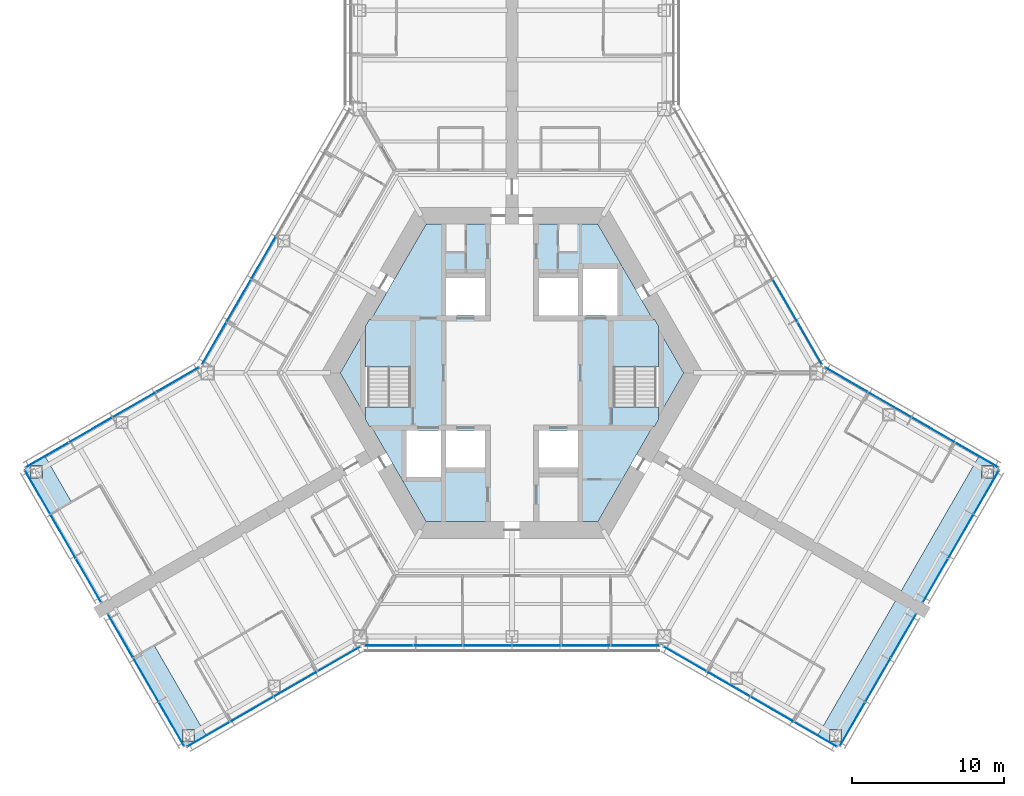
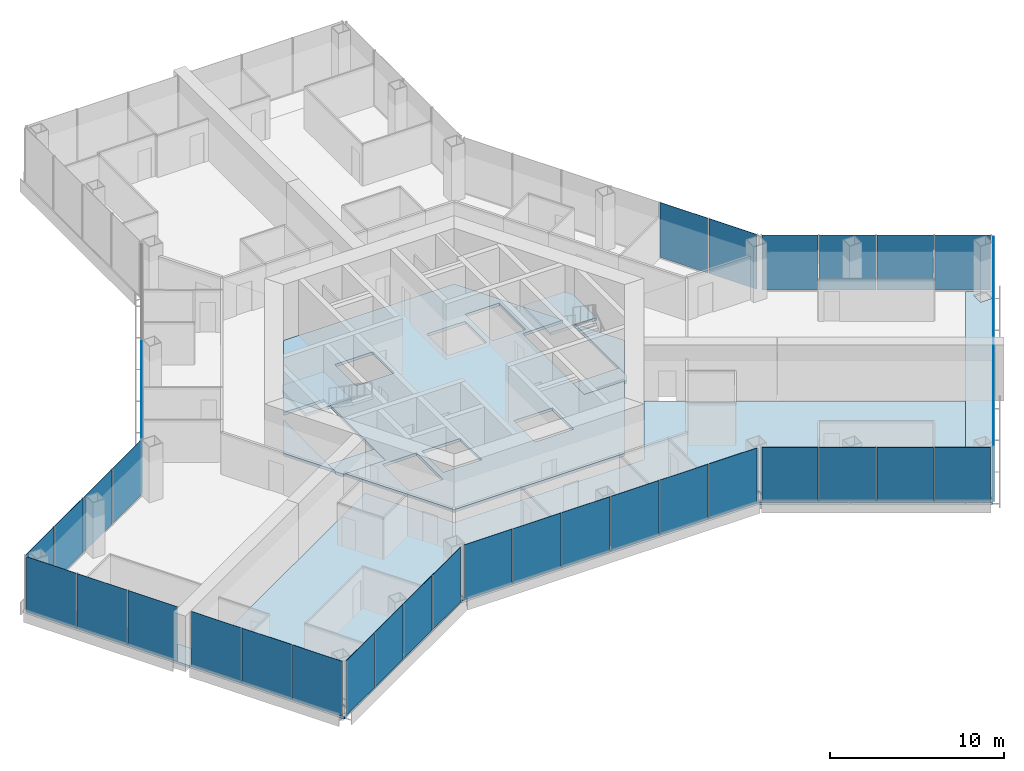
# One storey, part 10 of 19: 39 plates, 10 slabs, 13 elements without a shape of their own.
"""IFC4 building model written with IfcOpenShell, lengths in metres."""

from ifc_helpers import new_model, si_unit, direction, frame, origin, origin_2d, place, context, subcontext, project, spatial, polyline, rectangle, outline, extrude, material, layer, layer_set, type_object, element, aggregate, save


model = new_model("IFC4")

# Units and contexts
model_context = context("Model", 3, precision=1e-05, world=origin(), true_north=direction((0.0, 1.0)))
body_context = subcontext(model_context, "Body", "Model", "MODEL_VIEW")
ifc_project = project(units=[si_unit("LENGTHUNIT", "METRE"), si_unit("AREAUNIT", "SQUARE_METRE"), si_unit("VOLUMEUNIT", "CUBIC_METRE"), si_unit("PLANEANGLEUNIT", "RADIAN"), si_unit("MASSUNIT", "GRAM", prefix="KILO")], contexts=[model_context])

# Site, building, storey
site_placement = place(None, origin())
site = spatial("IfcSite", under=ifc_project, at=site_placement, CompositionType="ELEMENT")
building_placement = place(site_placement, origin())
building = spatial("IfcBuilding", under=site, at=building_placement, Name="Kasaneha Research Tower", CompositionType="ELEMENT")
storey_placement = place(building_placement, frame((0.0, 0.0, 88.5)))
storey = spatial("IfcBuildingStorey", under=building, at=storey_placement, Name="L22", CompositionType="ELEMENT", Elevation=88.5)

# Curtain wall, plates
ifc_material_1 = material(Name="Glass and aluminium", Category="aluminium")
curtain_wall_type = type_object("IfcCurtainWallType", Name="Low-rise office curtain wall", PredefinedType="USERDEFINED", material=ifc_material_1)
curtain_wall_1_placement = place(storey_placement, origin())
curtain_wall_1 = element("IfcCurtainWall", 1, at=curtain_wall_1_placement, inside=storey, type_object=curtain_wall_type, Name="CW-O1 L22 run 01a", ObjectType="UNITISED CURTAIN WALL", PredefinedType="USERDEFINED")
ifc_material_2 = material(Name="Laminated double glazing", Category="glass")
ifc_layer_1 = layer(ifc_material_2, 0.028076171875)
ifc_layer_set_1 = layer_set([ifc_layer_1], Name="CW-O1 glazed panel")
plate_type = type_object("IfcPlateType", Name="CW-O1 glazed panel", PredefinedType="CURTAIN_PANEL", material=ifc_layer_set_1)
plate_1_placement = place(storey_placement, frame((-19.945068359375, -23.755126953125, 0.06005859375), z_axis=(0.0, 0.0, 1.0), x_axis=(0.866025411464, 0.499999986699, 0.0)))
plate_1 = element("IfcPlate", 2, at=plate_1_placement, type_object=plate_type, Name="CW-O1 panel 1", PredefinedType="CURTAIN_PANEL", context=body_context, shape_type="SweptSolid", body=[
    extrude(rectangle(XDim=3.2197265625, YDim=0.028076171875, at=origin_2d()), origin(), (0.0, 0.0, 1.0), 3.840087890625),
])
plate_2_placement = place(storey_placement, frame((-17.091796875, -22.107666015625, 0.06005859375), z_axis=(0.0, 0.0, 1.0), x_axis=(0.866025411464, 0.499999986699, 0.0)))
plate_2 = element("IfcPlate", 3, at=plate_2_placement, type_object=plate_type, Name="CW-O1 panel 2", PredefinedType="CURTAIN_PANEL", context=body_context, shape_type="SweptSolid", body=[
    extrude(rectangle(XDim=3.249755859375, YDim=0.028076171875, at=origin_2d()), origin(), (0.0, 0.0, 1.0), 3.840087890625),
])
plate_3_placement = place(storey_placement, frame((-14.225341796875, -20.452880859375, 0.06005859375), z_axis=(0.0, 0.0, 1.0), x_axis=(0.866025411464, 0.499999986699, 0.0)))
plate_3 = element("IfcPlate", 4, at=plate_3_placement, type_object=plate_type, Name="CW-O1 panel 3", PredefinedType="CURTAIN_PANEL", context=body_context, shape_type="SweptSolid", body=[
    extrude(rectangle(XDim=3.249755859375, YDim=0.028076171875, at=origin_2d()), origin(), (0.0, 0.0, 1.0), 3.840087890625),
])
plate_4_placement = place(storey_placement, frame((-11.3720703125, -18.805419921875, 0.06005859375), z_axis=(0.0, 0.0, 1.0), x_axis=(0.866025411464, 0.499999986699, 0.0)))
plate_4 = element("IfcPlate", 5, at=plate_4_placement, type_object=plate_type, Name="CW-O1 panel 4", PredefinedType="CURTAIN_PANEL", context=body_context, shape_type="SweptSolid", body=[
    extrude(rectangle(XDim=3.2197265625, YDim=0.028076171875, at=origin_2d()), origin(), (0.0, 0.0, 1.0), 3.840087890625),
])
aggregate(curtain_wall_1, [plate_1, plate_2, plate_3, plate_4])

curtain_wall_2_placement = place(storey_placement, origin())
curtain_wall_2 = element("IfcCurtainWall", 6, at=curtain_wall_2_placement, inside=storey, type_object=curtain_wall_type, Name="CW-O1 L22 run 02a", ObjectType="UNITISED CURTAIN WALL", PredefinedType="USERDEFINED")
plate_5_placement = place(storey_placement, frame((-8.10107421875, -17.92041015625, 0.06005859375), z_axis=(0.0, 0.0, 1.0), x_axis=(1.0, 0.0, 0.0)))
plate_5 = element("IfcPlate", 7, at=plate_5_placement, type_object=plate_type, Name="CW-O1 panel 1", PredefinedType="CURTAIN_PANEL", context=body_context, shape_type="SweptSolid", body=[
    extrude(rectangle(XDim=3.156494140625, YDim=0.028076171875, at=origin_2d()), origin(), (0.0, 0.0, 1.0), 3.840087890625),
])
plate_6_placement = place(storey_placement, frame((-4.86962890625, -17.92041015625, 0.06005859375), z_axis=(0.0, 0.0, 1.0), x_axis=(1.0, 0.0, 0.0)))
plate_6 = element("IfcPlate", 8, at=plate_6_placement, type_object=plate_type, Name="CW-O1 panel 2", PredefinedType="CURTAIN_PANEL", context=body_context, shape_type="SweptSolid", body=[
    extrude(rectangle(XDim=3.1865234375, YDim=0.028076171875, at=origin_2d()), origin(), (0.0, 0.0, 1.0), 3.840087890625),
])
plate_7_placement = place(storey_placement, frame((-1.623291015625, -17.92041015625, 0.06005859375), z_axis=(0.0, 0.0, 1.0), x_axis=(1.0, 0.0, 0.0)))
plate_7 = element("IfcPlate", 9, at=plate_7_placement, type_object=plate_type, Name="CW-O1 panel 3", PredefinedType="CURTAIN_PANEL", context=body_context, shape_type="SweptSolid", body=[
    extrude(rectangle(XDim=3.1865234375, YDim=0.028076171875, at=origin_2d()), origin(), (0.0, 0.0, 1.0), 3.840087890625),
])
plate_8_placement = place(storey_placement, frame((1.623291015625, -17.92041015625, 0.06005859375), z_axis=(0.0, 0.0, 1.0), x_axis=(1.0, 0.0, 0.0)))
plate_8 = element("IfcPlate", 10, at=plate_8_placement, type_object=plate_type, Name="CW-O1 panel 4", PredefinedType="CURTAIN_PANEL", context=body_context, shape_type="SweptSolid", body=[
    extrude(rectangle(XDim=3.1865234375, YDim=0.028076171875, at=origin_2d()), origin(), (0.0, 0.0, 1.0), 3.840087890625),
])
plate_9_placement = place(storey_placement, frame((4.86962890625, -17.92041015625, 0.06005859375), z_axis=(0.0, 0.0, 1.0), x_axis=(1.0, 0.0, 0.0)))
plate_9 = element("IfcPlate", 11, at=plate_9_placement, type_object=plate_type, Name="CW-O1 panel 5", PredefinedType="CURTAIN_PANEL", context=body_context, shape_type="SweptSolid", body=[
    extrude(rectangle(XDim=3.1865234375, YDim=0.028076171875, at=origin_2d()), origin(), (0.0, 0.0, 1.0), 3.840087890625),
])
plate_10_placement = place(storey_placement, frame((8.10107421875, -17.92041015625, 0.06005859375), z_axis=(0.0, 0.0, 1.0), x_axis=(1.0, 0.0, 0.0)))
plate_10 = element("IfcPlate", 12, at=plate_10_placement, type_object=plate_type, Name="CW-O1 panel 6", PredefinedType="CURTAIN_PANEL", context=body_context, shape_type="SweptSolid", body=[
    extrude(rectangle(XDim=3.156494140625, YDim=0.028076171875, at=origin_2d()), origin(), (0.0, 0.0, 1.0), 3.840087890625),
])
aggregate(curtain_wall_2, [plate_5, plate_6, plate_7, plate_8, plate_9, plate_10])

curtain_wall_3_placement = place(storey_placement, origin())
curtain_wall_3 = element("IfcCurtainWall", 13, at=curtain_wall_3_placement, inside=storey, type_object=curtain_wall_type, Name="CW-O1 L22 run 03a", ObjectType="UNITISED CURTAIN WALL", PredefinedType="USERDEFINED")
plate_11_placement = place(storey_placement, frame((11.3720703125, -18.805419921875, 0.06005859375), z_axis=(0.0, 0.0, 1.0), x_axis=(0.866025411464, -0.499999986699, 0.0)))
plate_11 = element("IfcPlate", 14, at=plate_11_placement, type_object=plate_type, Name="CW-O1 panel 1", PredefinedType="CURTAIN_PANEL", context=body_context, shape_type="SweptSolid", body=[
    extrude(rectangle(XDim=3.2197265625, YDim=0.028076171875, at=origin_2d()), origin(), (0.0, 0.0, 1.0), 3.840087890625),
])
plate_12_placement = place(storey_placement, frame((14.225341796875, -20.452880859375, 0.06005859375), z_axis=(0.0, 0.0, 1.0), x_axis=(0.866025411464, -0.499999986699, 0.0)))
plate_12 = element("IfcPlate", 15, at=plate_12_placement, type_object=plate_type, Name="CW-O1 panel 2", PredefinedType="CURTAIN_PANEL", context=body_context, shape_type="SweptSolid", body=[
    extrude(rectangle(XDim=3.249755859375, YDim=0.028076171875, at=origin_2d()), origin(), (0.0, 0.0, 1.0), 3.840087890625),
])
plate_13_placement = place(storey_placement, frame((17.091796875, -22.107666015625, 0.06005859375), z_axis=(0.0, 0.0, 1.0), x_axis=(0.866025411464, -0.499999986699, 0.0)))
plate_13 = element("IfcPlate", 16, at=plate_13_placement, type_object=plate_type, Name="CW-O1 panel 3", PredefinedType="CURTAIN_PANEL", context=body_context, shape_type="SweptSolid", body=[
    extrude(rectangle(XDim=3.249755859375, YDim=0.028076171875, at=origin_2d()), origin(), (0.0, 0.0, 1.0), 3.840087890625),
])
plate_14_placement = place(storey_placement, frame((19.945068359375, -23.755126953125, 0.06005859375), z_axis=(0.0, 0.0, 1.0), x_axis=(0.866025411464, -0.499999986699, 0.0)))
plate_14 = element("IfcPlate", 17, at=plate_14_placement, type_object=plate_type, Name="CW-O1 panel 4", PredefinedType="CURTAIN_PANEL", context=body_context, shape_type="SweptSolid", body=[
    extrude(rectangle(XDim=3.2197265625, YDim=0.028076171875, at=origin_2d()), origin(), (0.0, 0.0, 1.0), 3.840087890625),
])
aggregate(curtain_wall_3, [plate_11, plate_12, plate_13, plate_14])

curtain_wall_4_placement = place(storey_placement, origin())
curtain_wall_4 = element("IfcCurtainWall", 18, at=curtain_wall_4_placement, inside=storey, type_object=curtain_wall_type, Name="CW-O1 L22 run 04a", ObjectType="UNITISED CURTAIN WALL", PredefinedType="USERDEFINED")
plate_15_placement = place(storey_placement, frame((22.377197265625, -23.082763671875, 0.06005859375), z_axis=(0.0, 0.0, 1.0), x_axis=(0.500000011442, 0.866025397178, 0.0)))
plate_15 = element("IfcPlate", 19, at=plate_15_placement, type_object=plate_type, Name="CW-O1 panel 1", PredefinedType="CURTAIN_PANEL", context=body_context, shape_type="SweptSolid", body=[
    extrude(rectangle(XDim=3.276611328125, YDim=0.028076171875, at=origin_2d()), origin(), (0.0, 0.0, 1.0), 3.840087890625),
])
plate_16_placement = place(storey_placement, frame((24.052978515625, -20.18017578125, 0.06005859375), z_axis=(0.0, 0.0, 1.0), x_axis=(0.500000011442, 0.866025397178, 0.0)))
plate_16 = element("IfcPlate", 20, at=plate_16_placement, type_object=plate_type, Name="CW-O1 panel 2", PredefinedType="CURTAIN_PANEL", context=body_context, shape_type="SweptSolid", body=[
    extrude(rectangle(XDim=3.306640625, YDim=0.028076171875, at=origin_2d()), origin(), (0.0, 0.0, 1.0), 3.840087890625),
])
plate_17_placement = place(storey_placement, frame((25.728759765625, -17.27734375, 0.06005859375), z_axis=(0.0, 0.0, 1.0), x_axis=(0.500000011442, 0.866025397178, 0.0)))
plate_17 = element("IfcPlate", 21, at=plate_17_placement, type_object=plate_type, Name="CW-O1 panel 3", PredefinedType="CURTAIN_PANEL", context=body_context, shape_type="SweptSolid", body=[
    extrude(rectangle(XDim=3.276611328125, YDim=0.028076171875, at=origin_2d()), origin(), (0.0, 0.0, 1.0), 3.840087890625),
])
aggregate(curtain_wall_4, [plate_15, plate_16, plate_17])

curtain_wall_5_placement = place(storey_placement, origin())
curtain_wall_5 = element("IfcCurtainWall", 22, at=curtain_wall_5_placement, inside=storey, type_object=curtain_wall_type, Name="CW-O1 L22 run 05a", ObjectType="UNITISED CURTAIN WALL", PredefinedType="USERDEFINED")
plate_18_placement = place(storey_placement, frame((27.8271484375, -13.64306640625, 0.06005859375), z_axis=(0.0, 0.0, 1.0), x_axis=(0.500000011442, 0.866025397178, 0.0)))
plate_18 = element("IfcPlate", 23, at=plate_18_placement, type_object=plate_type, Name="CW-O1 panel 1", PredefinedType="CURTAIN_PANEL", context=body_context, shape_type="SweptSolid", body=[
    extrude(rectangle(XDim=3.276611328125, YDim=0.028076171875, at=origin_2d()), origin(), (0.0, 0.0, 1.0), 3.840087890625),
])
plate_19_placement = place(storey_placement, frame((29.5029296875, -10.740478515625, 0.06005859375), z_axis=(0.0, 0.0, 1.0), x_axis=(0.500000011442, 0.866025397178, 0.0)))
plate_19 = element("IfcPlate", 24, at=plate_19_placement, type_object=plate_type, Name="CW-O1 panel 2", PredefinedType="CURTAIN_PANEL", context=body_context, shape_type="SweptSolid", body=[
    extrude(rectangle(XDim=3.306640625, YDim=0.028076171875, at=origin_2d()), origin(), (0.0, 0.0, 1.0), 3.840087890625),
])
plate_20_placement = place(storey_placement, frame((31.1787109375, -7.837890625, 0.06005859375), z_axis=(0.0, 0.0, 1.0), x_axis=(0.500000011442, 0.866025397178, 0.0)))
plate_20 = element("IfcPlate", 25, at=plate_20_placement, type_object=plate_type, Name="CW-O1 panel 3", PredefinedType="CURTAIN_PANEL", context=body_context, shape_type="SweptSolid", body=[
    extrude(rectangle(XDim=3.276611328125, YDim=0.028076171875, at=origin_2d()), origin(), (0.0, 0.0, 1.0), 3.840087890625),
])
aggregate(curtain_wall_5, [plate_18, plate_19, plate_20])

curtain_wall_6_placement = place(storey_placement, origin())
curtain_wall_6 = element("IfcCurtainWall", 26, at=curtain_wall_6_placement, inside=storey, type_object=curtain_wall_type, Name="CW-O1 L22 run 06a", ObjectType="UNITISED CURTAIN WALL", PredefinedType="USERDEFINED")
plate_21_placement = place(storey_placement, frame((30.545166015625, -5.3955078125, 0.06005859375), z_axis=(0.0, 0.0, 1.0), x_axis=(-0.866025411464, 0.499999986699, 0.0)))
plate_21 = element("IfcPlate", 27, at=plate_21_placement, type_object=plate_type, Name="CW-O1 panel 1", PredefinedType="CURTAIN_PANEL", context=body_context, shape_type="SweptSolid", body=[
    extrude(rectangle(XDim=3.2197265625, YDim=0.028076171875, at=origin_2d()), origin(), (0.0, 0.0, 1.0), 3.840087890625),
])
plate_22_placement = place(storey_placement, frame((27.69189453125, -3.748046875, 0.06005859375), z_axis=(0.0, 0.0, 1.0), x_axis=(-0.866025411464, 0.499999986699, 0.0)))
plate_22 = element("IfcPlate", 28, at=plate_22_placement, type_object=plate_type, Name="CW-O1 panel 2", PredefinedType="CURTAIN_PANEL", context=body_context, shape_type="SweptSolid", body=[
    extrude(rectangle(XDim=3.249755859375, YDim=0.028076171875, at=origin_2d()), origin(), (0.0, 0.0, 1.0), 3.840087890625),
])
plate_23_placement = place(storey_placement, frame((24.825439453125, -2.093017578125, 0.06005859375), z_axis=(0.0, 0.0, 1.0), x_axis=(-0.866025411464, 0.499999986699, 0.0)))
plate_23 = element("IfcPlate", 29, at=plate_23_placement, type_object=plate_type, Name="CW-O1 panel 3", PredefinedType="CURTAIN_PANEL", context=body_context, shape_type="SweptSolid", body=[
    extrude(rectangle(XDim=3.249755859375, YDim=0.028076171875, at=origin_2d()), origin(), (0.0, 0.0, 1.0), 3.840087890625),
])
plate_24_placement = place(storey_placement, frame((21.971923828125, -0.44580078125, 0.06005859375), z_axis=(0.0, 0.0, 1.0), x_axis=(-0.866025411464, 0.499999986699, 0.0)))
plate_24 = element("IfcPlate", 30, at=plate_24_placement, type_object=plate_type, Name="CW-O1 panel 4", PredefinedType="CURTAIN_PANEL", context=body_context, shape_type="SweptSolid", body=[
    extrude(rectangle(XDim=3.2197265625, YDim=0.028076171875, at=origin_2d()), origin(), (0.0, 0.0, 1.0), 3.840087890625),
])
aggregate(curtain_wall_6, [plate_21, plate_22, plate_23, plate_24])

curtain_wall_7_placement = place(storey_placement, origin())
curtain_wall_7 = element("IfcCurtainWall", 31, at=curtain_wall_7_placement, inside=storey, type_object=curtain_wall_type, Name="CW-O1 L22 run 07a", ObjectType="UNITISED CURTAIN WALL", PredefinedType="USERDEFINED")
plate_25_placement = place(storey_placement, frame((19.570068359375, 1.944580078125, 0.06005859375), z_axis=(0.0, 0.0, 1.0), x_axis=(-0.49999996188, 0.866025425793, 0.0)))
plate_25 = element("IfcPlate", 32, at=plate_25_placement, type_object=plate_type, Name="CW-O1 panel 1", PredefinedType="CURTAIN_PANEL", context=body_context, shape_type="SweptSolid", body=[
    extrude(rectangle(XDim=3.156494140625, YDim=0.028076171875, at=origin_2d()), origin(), (0.0, 0.0, 1.0), 3.840087890625),
])
plate_26_placement = place(storey_placement, frame((17.954345703125, 4.7431640625, 0.06005859375), z_axis=(0.0, 0.0, 1.0), x_axis=(-0.49999996188, 0.866025425793, 0.0)))
plate_26 = element("IfcPlate", 33, at=plate_26_placement, type_object=plate_type, Name="CW-O1 panel 2", PredefinedType="CURTAIN_PANEL", context=body_context, shape_type="SweptSolid", body=[
    extrude(rectangle(XDim=3.1865234375, YDim=0.028076171875, at=origin_2d()), origin(), (0.0, 0.0, 1.0), 3.840087890625),
])
aggregate(curtain_wall_7, [plate_25, plate_26])

curtain_wall_8_placement = place(storey_placement, origin())
curtain_wall_8 = element("IfcCurtainWall", 34, at=curtain_wall_8_placement, inside=storey, type_object=curtain_wall_type, Name="CW-O1 L22 run 12a", ObjectType="UNITISED CURTAIN WALL", PredefinedType="USERDEFINED")
plate_27_placement = place(storey_placement, frame((-16.331298828125, 7.554443359375, 0.06005859375), z_axis=(0.0, 0.0, 1.0), x_axis=(-0.49999996188, -0.866025425793, 0.0)))
plate_27 = element("IfcPlate", 35, at=plate_27_placement, type_object=plate_type, Name="CW-O1 panel 4", PredefinedType="CURTAIN_PANEL", context=body_context, shape_type="SweptSolid", body=[
    extrude(rectangle(XDim=3.1865234375, YDim=0.028076171875, at=origin_2d()), origin(), (0.0, 0.0, 1.0), 3.840087890625),
])
plate_28_placement = place(storey_placement, frame((-17.954345703125, 4.7431640625, 0.06005859375), z_axis=(0.0, 0.0, 1.0), x_axis=(-0.49999996188, -0.866025425793, 0.0)))
plate_28 = element("IfcPlate", 36, at=plate_28_placement, type_object=plate_type, Name="CW-O1 panel 5", PredefinedType="CURTAIN_PANEL", context=body_context, shape_type="SweptSolid", body=[
    extrude(rectangle(XDim=3.1865234375, YDim=0.028076171875, at=origin_2d()), origin(), (0.0, 0.0, 1.0), 3.840087890625),
])
plate_29_placement = place(storey_placement, frame((-19.570068359375, 1.944580078125, 0.06005859375), z_axis=(0.0, 0.0, 1.0), x_axis=(-0.49999996188, -0.866025425793, 0.0)))
plate_29 = element("IfcPlate", 37, at=plate_29_placement, type_object=plate_type, Name="CW-O1 panel 6", PredefinedType="CURTAIN_PANEL", context=body_context, shape_type="SweptSolid", body=[
    extrude(rectangle(XDim=3.156494140625, YDim=0.028076171875, at=origin_2d()), origin(), (0.0, 0.0, 1.0), 3.840087890625),
])
aggregate(curtain_wall_8, [plate_27, plate_28, plate_29])

curtain_wall_9_placement = place(storey_placement, origin())
curtain_wall_9 = element("IfcCurtainWall", 38, at=curtain_wall_9_placement, inside=storey, type_object=curtain_wall_type, Name="CW-O1 L22 run 13a", ObjectType="UNITISED CURTAIN WALL", PredefinedType="USERDEFINED")
plate_30_placement = place(storey_placement, frame((-21.971923828125, -0.44580078125, 0.06005859375), z_axis=(0.0, 0.0, 1.0), x_axis=(-0.866025411464, -0.499999986699, 0.0)))
plate_30 = element("IfcPlate", 39, at=plate_30_placement, type_object=plate_type, Name="CW-O1 panel 1", PredefinedType="CURTAIN_PANEL", context=body_context, shape_type="SweptSolid", body=[
    extrude(rectangle(XDim=3.2197265625, YDim=0.028076171875, at=origin_2d()), origin(), (0.0, 0.0, 1.0), 3.840087890625),
])
plate_31_placement = place(storey_placement, frame((-24.825439453125, -2.093017578125, 0.06005859375), z_axis=(0.0, 0.0, 1.0), x_axis=(-0.866025411464, -0.499999986699, 0.0)))
plate_31 = element("IfcPlate", 40, at=plate_31_placement, type_object=plate_type, Name="CW-O1 panel 2", PredefinedType="CURTAIN_PANEL", context=body_context, shape_type="SweptSolid", body=[
    extrude(rectangle(XDim=3.249755859375, YDim=0.028076171875, at=origin_2d()), origin(), (0.0, 0.0, 1.0), 3.840087890625),
])
plate_32_placement = place(storey_placement, frame((-27.69189453125, -3.748046875, 0.06005859375), z_axis=(0.0, 0.0, 1.0), x_axis=(-0.866025411464, -0.499999986699, 0.0)))
plate_32 = element("IfcPlate", 41, at=plate_32_placement, type_object=plate_type, Name="CW-O1 panel 3", PredefinedType="CURTAIN_PANEL", context=body_context, shape_type="SweptSolid", body=[
    extrude(rectangle(XDim=3.249755859375, YDim=0.028076171875, at=origin_2d()), origin(), (0.0, 0.0, 1.0), 3.840087890625),
])
plate_33_placement = place(storey_placement, frame((-30.545166015625, -5.3955078125, 0.06005859375), z_axis=(0.0, 0.0, 1.0), x_axis=(-0.866025411464, -0.499999986699, 0.0)))
plate_33 = element("IfcPlate", 42, at=plate_33_placement, type_object=plate_type, Name="CW-O1 panel 4", PredefinedType="CURTAIN_PANEL", context=body_context, shape_type="SweptSolid", body=[
    extrude(rectangle(XDim=3.2197265625, YDim=0.028076171875, at=origin_2d()), origin(), (0.0, 0.0, 1.0), 3.840087890625),
])
aggregate(curtain_wall_9, [plate_30, plate_31, plate_32, plate_33])

curtain_wall_10_placement = place(storey_placement, origin())
curtain_wall_10 = element("IfcCurtainWall", 43, at=curtain_wall_10_placement, inside=storey, type_object=curtain_wall_type, Name="CW-O1 L22 run 14a", ObjectType="UNITISED CURTAIN WALL", PredefinedType="USERDEFINED")
plate_34_placement = place(storey_placement, frame((-31.1787109375, -7.837890625, 0.06005859375), z_axis=(0.0, 0.0, 1.0), x_axis=(0.500000011442, -0.866025397178, 0.0)))
plate_34 = element("IfcPlate", 44, at=plate_34_placement, type_object=plate_type, Name="CW-O1 panel 1", PredefinedType="CURTAIN_PANEL", context=body_context, shape_type="SweptSolid", body=[
    extrude(rectangle(XDim=3.276611328125, YDim=0.028076171875, at=origin_2d()), origin(), (0.0, 0.0, 1.0), 3.840087890625),
])
plate_35_placement = place(storey_placement, frame((-29.5029296875, -10.740478515625, 0.06005859375), z_axis=(0.0, 0.0, 1.0), x_axis=(0.500000011442, -0.866025397178, 0.0)))
plate_35 = element("IfcPlate", 45, at=plate_35_placement, type_object=plate_type, Name="CW-O1 panel 2", PredefinedType="CURTAIN_PANEL", context=body_context, shape_type="SweptSolid", body=[
    extrude(rectangle(XDim=3.306640625, YDim=0.028076171875, at=origin_2d()), origin(), (0.0, 0.0, 1.0), 3.840087890625),
])
plate_36_placement = place(storey_placement, frame((-27.8271484375, -13.64306640625, 0.06005859375), z_axis=(0.0, 0.0, 1.0), x_axis=(0.500000011442, -0.866025397178, 0.0)))
plate_36 = element("IfcPlate", 46, at=plate_36_placement, type_object=plate_type, Name="CW-O1 panel 3", PredefinedType="CURTAIN_PANEL", context=body_context, shape_type="SweptSolid", body=[
    extrude(rectangle(XDim=3.276611328125, YDim=0.028076171875, at=origin_2d()), origin(), (0.0, 0.0, 1.0), 3.840087890625),
])
aggregate(curtain_wall_10, [plate_34, plate_35, plate_36])

curtain_wall_11_placement = place(storey_placement, origin())
curtain_wall_11 = element("IfcCurtainWall", 47, at=curtain_wall_11_placement, inside=storey, type_object=curtain_wall_type, Name="CW-O1 L22 run 15a", ObjectType="UNITISED CURTAIN WALL", PredefinedType="USERDEFINED")
plate_37_placement = place(storey_placement, frame((-25.728759765625, -17.27734375, 0.06005859375), z_axis=(0.0, 0.0, 1.0), x_axis=(0.500000011442, -0.866025397178, 0.0)))
plate_37 = element("IfcPlate", 48, at=plate_37_placement, type_object=plate_type, Name="CW-O1 panel 1", PredefinedType="CURTAIN_PANEL", context=body_context, shape_type="SweptSolid", body=[
    extrude(rectangle(XDim=3.276611328125, YDim=0.028076171875, at=origin_2d()), origin(), (0.0, 0.0, 1.0), 3.840087890625),
])
plate_38_placement = place(storey_placement, frame((-24.052978515625, -20.18017578125, 0.06005859375), z_axis=(0.0, 0.0, 1.0), x_axis=(0.500000011442, -0.866025397178, 0.0)))
plate_38 = element("IfcPlate", 49, at=plate_38_placement, type_object=plate_type, Name="CW-O1 panel 2", PredefinedType="CURTAIN_PANEL", context=body_context, shape_type="SweptSolid", body=[
    extrude(rectangle(XDim=3.306640625, YDim=0.028076171875, at=origin_2d()), origin(), (0.0, 0.0, 1.0), 3.840087890625),
])
plate_39_placement = place(storey_placement, frame((-22.377197265625, -23.082763671875, 0.06005859375), z_axis=(0.0, 0.0, 1.0), x_axis=(0.500000011442, -0.866025397178, 0.0)))
plate_39 = element("IfcPlate", 50, at=plate_39_placement, type_object=plate_type, Name="CW-O1 panel 3", PredefinedType="CURTAIN_PANEL", context=body_context, shape_type="SweptSolid", body=[
    extrude(rectangle(XDim=3.276611328125, YDim=0.028076171875, at=origin_2d()), origin(), (0.0, 0.0, 1.0), 3.840087890625),
])
aggregate(curtain_wall_11, [plate_37, plate_38, plate_39])

# Slabs
ifc_material_3 = material(Name="Concrete Fc24", Category="concrete")
ifc_layer_2 = layer(ifc_material_3, 0.199951171875)
ifc_layer_set_2 = layer_set([ifc_layer_2], Name="Core floor slab 200")
slab_type_1 = type_object("IfcSlabType", Name="Core floor slab 200", PredefinedType="FLOOR", material=ifc_layer_set_2)
slab_1_placement = place(storey_placement, frame((0.0, 0.0, -0.199951171875)))
element("IfcSlab", 51, at=slab_1_placement, inside=storey, type_object=slab_type_1, Name="Core slab L22", PredefinedType="FLOOR", context=body_context, shape_type="SweptSolid", body=[
    extrude(outline(polyline([(-11.287109375, 0.0), (-9.625, 2.87890625), (-9.625, -2.87890625), (-11.287109375, 0.0)])), origin(), (0.0, 0.0, 1.0), 0.199951171875),
])
slab_2_placement = place(storey_placement, frame((0.0, 0.0, -0.199951171875)))
element("IfcSlab", 52, at=slab_2_placement, inside=storey, type_object=slab_type_1, Name="Core slab L22", PredefinedType="FLOOR", context=body_context, shape_type="SweptSolid", body=[
    extrude(outline(polyline([(-5.6435546875, 9.77490234375), (5.6435546875, 9.77490234375), (9.251953125, 3.52490234375), (6.574951171875, 3.52490234375), (6.574951171875, -3.52490234375), (9.251953125, -3.52490234375), (5.6435546875, -9.77490234375), (-5.6435546875, -9.77490234375), (-9.251953125, -3.52490234375), (-6.574951171875, -3.52490234375), (-6.574951171875, 3.52490234375), (-9.251953125, 3.52490234375), (-5.6435546875, 9.77490234375)]), holes=[polyline([(-6.925048828125, -3.77490234375), (-6.925048828125, -6.824951171875), (-4.675048828125, -6.824951171875), (-4.675048828125, -3.77490234375), (-6.925048828125, -3.77490234375)]), polyline([(-4.324951171875, -3.77490234375), (-4.324951171875, -6.22509765625), (-1.77490234375, -6.22509765625), (-1.77490234375, -3.77490234375), (-4.324951171875, -3.77490234375)]), polyline([(1.77490234375, -3.77490234375), (1.77490234375, -6.22509765625), (4.324951171875, -6.22509765625), (4.324951171875, -3.77490234375), (1.77490234375, -3.77490234375)]), polyline([(-4.324951171875, 6.22509765625), (-4.324951171875, 3.77490234375), (-1.77490234375, 3.77490234375), (-1.77490234375, 6.22509765625), (-4.324951171875, 6.22509765625)]), polyline([(1.77490234375, 6.22509765625), (1.77490234375, 3.77490234375), (4.324951171875, 3.77490234375), (4.324951171875, 6.22509765625), (1.77490234375, 6.22509765625)]), polyline([(4.675048828125, 6.824951171875), (4.675048828125, 3.77490234375), (6.925048828125, 3.77490234375), (6.925048828125, 6.824951171875), (4.675048828125, 6.824951171875)])]), origin(), (0.0, 0.0, 1.0), 0.199951171875),
])
slab_3_placement = place(storey_placement, frame((0.0, 0.0, -0.199951171875)))
element("IfcSlab", 53, at=slab_3_placement, inside=storey, type_object=slab_type_1, Name="Core slab L22", PredefinedType="FLOOR", context=body_context, shape_type="SweptSolid", body=[
    extrude(outline(polyline([(11.287109375, 0.0), (9.625, -2.87890625), (9.625, 2.87890625), (11.287109375, 0.0)])), origin(), (0.0, 0.0, 1.0), 0.199951171875),
])
ifc_material_4 = material(Name="Concrete Fc24", Category="concrete")
ifc_layer_3 = layer(ifc_material_4, 0.14990234375)
ifc_layer_set_3 = layer_set([ifc_layer_3], Name="Floor slab 150")
slab_type_2 = type_object("IfcSlabType", Name="Floor slab 150", PredefinedType="FLOOR", material=ifc_layer_set_3)
slab_4_placement = place(storey_placement, frame((0.0, 0.0, -0.14990234375)))
element("IfcSlab", 54, at=slab_4_placement, inside=storey, type_object=slab_type_2, Name="Floor slab L22 1", PredefinedType="FLOOR", context=body_context, shape_type="SweptSolid", body=[
    extrude(outline(polyline([(-25.1923828125, -15.006591796875), (-25.18359375, -15.001708984375), (-20.108642578125, -23.791748046875), (-21.459716796875, -24.57177734375), (-21.65576171875, -24.232177734375), (-21.644287109375, -24.220703125), (-20.858154296875, -24.220703125), (-20.858154296875, -23.42041015625), (-21.658447265625, -23.42041015625), (-21.658447265625, -24.20654296875), (-21.666015625, -24.214111328125), (-31.65576171875, -6.91162109375), (-31.644287109375, -6.900146484375), (-30.858154296875, -6.900146484375), (-30.858154296875, -6.099853515625), (-31.658447265625, -6.099853515625), (-31.658447265625, -6.885986328125), (-31.666015625, -6.8935546875), (-32.009521484375, -6.298583984375), (-30.65869140625, -5.518798828125), (-25.583740234375, -14.308837890625), (-25.59228515625, -14.313720703125), (-25.1923828125, -15.006591796875)])), origin(), (0.0, 0.0, 1.0), 0.14990234375),
])
slab_5_placement = place(storey_placement, frame((0.0, 0.0, -0.14990234375)))
element("IfcSlab", 55, at=slab_5_placement, inside=storey, type_object=slab_type_2, Name="Floor slab L22 4", PredefinedType="FLOOR", context=body_context, shape_type="SweptSolid", body=[
    extrude(outline(polyline([(-6.278564453125, -10.875), (6.278564453125, -10.875), (9.218017578125, -5.783935546875), (25.18359375, -15.001708984375), (20.108642578125, -23.791748046875), (14.369384765625, -20.478271484375), (14.377197265625, -20.470703125), (15.163330078125, -20.470703125), (15.163330078125, -19.67041015625), (14.363037109375, -19.67041015625), (14.363037109375, -20.45654296875), (14.3515625, -20.468017578125), (9.8525390625, -17.87060546875), (-9.8525390625, -17.87060546875), (-15.217529296875, -20.968017578125), (-15.22900390625, -20.95654296875), (-15.22900390625, -20.17041015625), (-16.029296875, -20.17041015625), (-16.029296875, -20.970703125), (-15.2431640625, -20.970703125), (-15.235595703125, -20.978271484375), (-20.108642578125, -23.791748046875), (-25.18359375, -15.001708984375), (-9.218017578125, -5.783935546875), (-6.278564453125, -10.875)]), holes=[polyline([(0.39990234375, -17.720458984375), (0.39990234375, -16.92041015625), (-0.39990234375, -16.92041015625), (-0.39990234375, -17.720458984375), (0.39990234375, -17.720458984375)]), polyline([(-9.550048828125, -16.87060546875), (-10.449951171875, -16.87060546875), (-10.449951171875, -17.7705078125), (-9.550048828125, -17.7705078125), (-9.550048828125, -16.87060546875)]), polyline([(10.449951171875, -16.87060546875), (9.550048828125, -16.87060546875), (9.550048828125, -17.7705078125), (10.449951171875, -17.7705078125), (10.449951171875, -16.87060546875)])]), origin(), (0.0, 0.0, 1.0), 0.14990234375),
])
slab_6_placement = place(storey_placement, frame((0.0, 0.0, -0.14990234375)))
element("IfcSlab", 56, at=slab_6_placement, inside=storey, type_object=slab_type_2, Name="Floor slab L22 6", PredefinedType="FLOOR", context=body_context, shape_type="SweptSolid", body=[
    extrude(outline(polyline([(25.1923828125, -15.006591796875), (25.59228515625, -14.313720703125), (25.583740234375, -14.308837890625), (30.65869140625, -5.518798828125), (32.009521484375, -6.298583984375), (31.666015625, -6.8935546875), (31.658447265625, -6.885986328125), (31.658447265625, -6.099853515625), (30.858154296875, -6.099853515625), (30.858154296875, -6.900146484375), (31.644287109375, -6.900146484375), (31.65576171875, -6.91162109375), (21.666015625, -24.214111328125), (21.658447265625, -24.20654296875), (21.658447265625, -23.42041015625), (20.858154296875, -23.42041015625), (20.858154296875, -24.220703125), (21.644287109375, -24.220703125), (21.65576171875, -24.232177734375), (21.459716796875, -24.57177734375), (20.108642578125, -23.791748046875), (25.18359375, -15.001708984375), (25.1923828125, -15.006591796875)])), origin(), (0.0, 0.0, 1.0), 0.14990234375),
])

# Stair, slabs
ifc_material_5 = material(Name="Concrete Fc24", Category="concrete")
stair_type = type_object("IfcStairType", Name="Half-turn stair 22 risers", PredefinedType="HALF_TURN_STAIR", material=ifc_material_5)
stair_1_placement = place(storey_placement, origin())
stair_1 = element("IfcStair", 57, at=stair_1_placement, inside=storey, type_object=stair_type, Name="Stair 1 L22", PredefinedType="HALF_TURN_STAIR")
ifc_material_6 = material(Name="Concrete Fc24", Category="concrete")
ifc_layer_4 = layer(ifc_material_6, 0.199951171875)
ifc_layer_set_4 = layer_set([ifc_layer_4], Name="Stair 1 landing 200")
slab_type_3 = type_object("IfcSlabType", Name="Stair 1 landing 200", PredefinedType="LANDING", material=ifc_layer_set_4)
slab_7_placement = place(storey_placement, frame((0.0, 0.0, -0.199951171875)))
slab_7 = element("IfcSlab", 58, at=slab_7_placement, type_object=slab_type_3, Name="ST1-22R landing 1", PredefinedType="LANDING", context=body_context, shape_type="SweptSolid", body=[
    extrude(outline(polyline([(9.367431640625, -3.52490234375), (6.574951171875, -3.52490234375), (6.574951171875, -2.22509765625), (9.625, -2.22509765625), (9.625, -3.0791015625), (9.367431640625, -3.52490234375)])), origin(), (0.0, 0.0, 1.0), 0.199951171875),
])
slab_8_placement = place(storey_placement, frame((0.0, 0.0, 1.75)))
slab_8 = element("IfcSlab", 59, at=slab_8_placement, type_object=slab_type_3, Name="ST1-22R landing 2", PredefinedType="LANDING", context=body_context, shape_type="SweptSolid", body=[
    extrude(outline(polyline([(6.574951171875, 3.52490234375), (9.367431640625, 3.52490234375), (9.625, 3.0791015625), (9.625, 0.375), (6.574951171875, 0.375), (6.574951171875, 3.52490234375)])), origin(), (0.0, 0.0, 1.0), 0.199951171875),
])
aggregate(stair_1, [slab_7, slab_8])

stair_2_placement = place(storey_placement, origin())
stair_2 = element("IfcStair", 60, at=stair_2_placement, inside=storey, type_object=stair_type, Name="Stair 2 L22", PredefinedType="HALF_TURN_STAIR")
ifc_material_7 = material(Name="Concrete Fc24", Category="concrete")
ifc_layer_5 = layer(ifc_material_7, 0.199951171875)
ifc_layer_set_5 = layer_set([ifc_layer_5], Name="Stair 2 landing 200")
slab_type_4 = type_object("IfcSlabType", Name="Stair 2 landing 200", PredefinedType="LANDING", material=ifc_layer_set_5)
slab_9_placement = place(storey_placement, frame((0.0, 0.0, -0.199951171875)))
slab_9 = element("IfcSlab", 61, at=slab_9_placement, type_object=slab_type_4, Name="ST2-22R landing 1", PredefinedType="LANDING", context=body_context, shape_type="SweptSolid", body=[
    extrude(outline(polyline([(-6.574951171875, -3.52490234375), (-9.367431640625, -3.52490234375), (-9.625, -3.0791015625), (-9.625, -2.22509765625), (-6.574951171875, -2.22509765625), (-6.574951171875, -3.52490234375)])), origin(), (0.0, 0.0, 1.0), 0.199951171875),
])
slab_10_placement = place(storey_placement, frame((0.0, 0.0, 1.75)))
slab_10 = element("IfcSlab", 62, at=slab_10_placement, type_object=slab_type_4, Name="ST2-22R landing 2", PredefinedType="LANDING", context=body_context, shape_type="SweptSolid", body=[
    extrude(outline(polyline([(-6.574951171875, 0.375), (-9.625, 0.375), (-9.625, 3.0791015625), (-9.367431640625, 3.52490234375), (-6.574951171875, 3.52490234375), (-6.574951171875, 0.375)])), origin(), (0.0, 0.0, 1.0), 0.199951171875),
])
aggregate(stair_2, [slab_9, slab_10])

save(model, "model.ifc")
